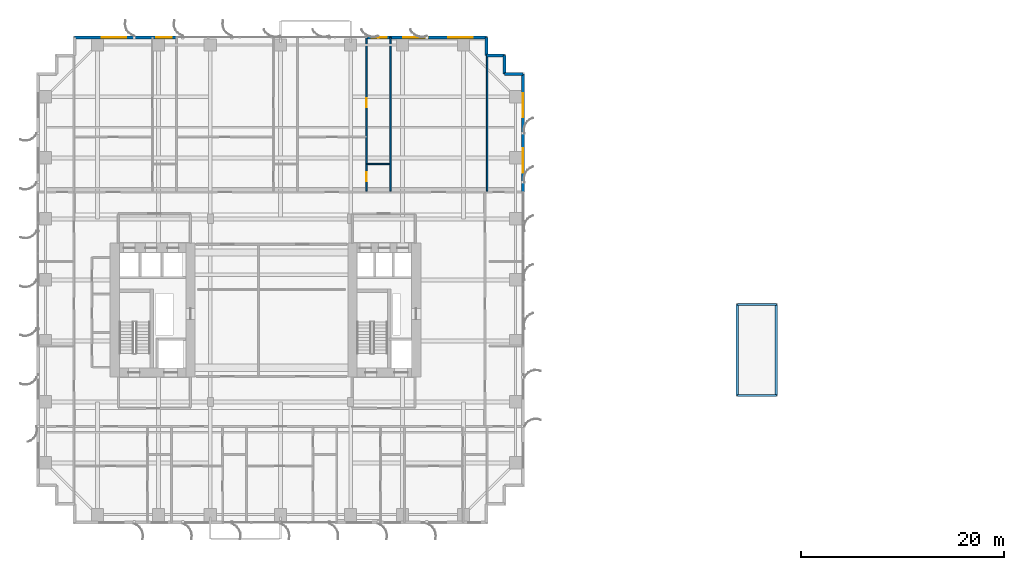
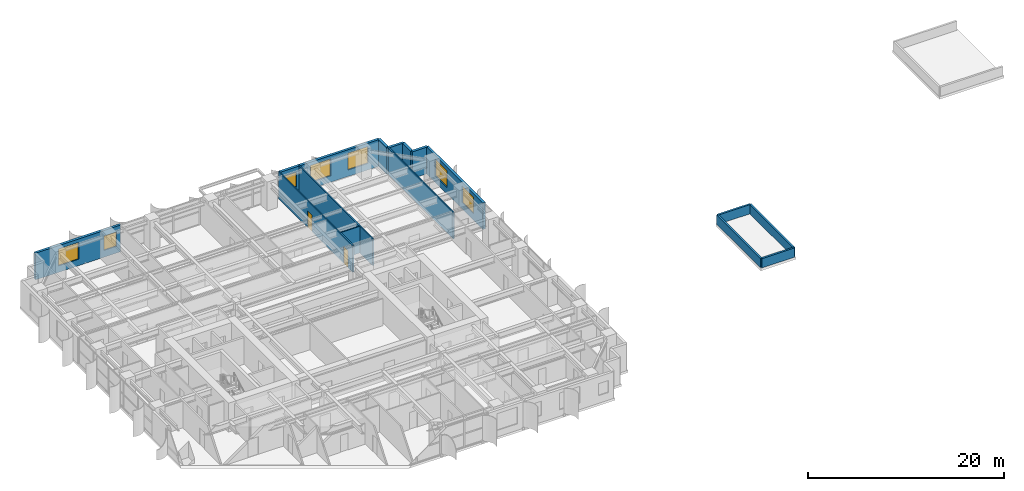
# One storey, part 20 of 26: 15 walls, 7 windows, 2 doors, 9 openings.
"""IFC4 building model written with IfcOpenShell, lengths in metres."""

from ifc_helpers import new_model, si_unit, direction, frame, frame_2d, origin, place, context, subcontext, project, spatial, rectangle, extrude, source, transform, mapped, material, layer, layer_set, type_object, element, fill, save


model = new_model("IFC4")

# Units and contexts
model_context = context("Model", 3, precision=1e-05, world=origin(), true_north=direction((0.0, 1.0)))
body_context = subcontext(model_context, "Body", "Model", "MODEL_VIEW")
ifc_project = project(units=[si_unit("LENGTHUNIT", "METRE"), si_unit("AREAUNIT", "SQUARE_METRE"), si_unit("VOLUMEUNIT", "CUBIC_METRE"), si_unit("PLANEANGLEUNIT", "RADIAN"), si_unit("MASSUNIT", "GRAM", prefix="KILO")], contexts=[model_context])

# Site, building, storey
site_placement = place(None, origin())
site = spatial("IfcSite", under=ifc_project, at=site_placement, CompositionType="ELEMENT")
building_placement = place(site_placement, origin())
building = spatial("IfcBuilding", under=site, at=building_placement, Name="Khoralis Quay Care Tower", CompositionType="ELEMENT")
storey_placement = place(building_placement, frame((0.0, 0.0, 26.10009765625)))
storey = spatial("IfcBuildingStorey", under=building, at=storey_placement, Name="L06", CompositionType="ELEMENT", Elevation=26.10009765625)

# Wall, openings, windows
ifc_material_1 = material(Name="Precast concrete C45/55", Category="concrete")
ifc_layer_1 = layer(ifc_material_1, 0.300048828125)
ifc_layer_set_1 = layer_set([ifc_layer_1], Name="Precast concrete C45/55")
wall_type_1 = type_object("IfcWallType", Name="WL-EXT-REF-300", PredefinedType="SOLIDWALL", material=ifc_layer_set_1)
wall_1_placement = place(storey_placement, frame((47.85009765625, 32.639892578125, 0.0), z_axis=(0.0, 0.0, 1.0), x_axis=(0.0, 1.0, 0.0)))
wall_1 = element("IfcWall", 1, at=wall_1_placement, inside=storey, type_object=wall_type_1, Name="L06 External Facade Wall WL-EXT-L06-P1-E5B", PredefinedType="SOLIDWALL", context=body_context, shape_type="SweptSolid", body=[
    extrude(rectangle(XDim=11.610107421875, YDim=0.300048828125, at=frame_2d((5.80517578125, 0.0))), origin(), (0.0, 0.0, 1.0), 3.31982421875),
])
opening_1_placement = place(wall_1_placement, frame((1.882568359375, 0.0, 0.800048828125)))
opening_1 = element("IfcOpeningElement", 2, at=opening_1_placement, cuts=wall_1, Name="Opening W1", PredefinedType="OPENING", context=body_context, shape_type="SweptSolid", body=[
    extrude(rectangle(XDim=2.39990234375, YDim=2.10009765625, at=frame_2d((1.199951171875, 1.050048828125))), frame((0.0, 0.16015625, 0.0), z_axis=(0.0, -1.0, 0.0), x_axis=(1.0, 0.0, 0.0)), (0.0, 0.0, 1.0), 0.320068359375),
])
opening_2_placement = place(wall_1_placement, frame((7.327392578125, 0.0, 0.800048828125)))
opening_2 = element("IfcOpeningElement", 3, at=opening_2_placement, cuts=wall_1, Name="Opening W1", PredefinedType="OPENING", context=body_context, shape_type="SweptSolid", body=[
    extrude(rectangle(XDim=2.39990234375, YDim=2.10009765625, at=frame_2d((1.199951171875, 1.050048828125))), frame((0.0, 0.16015625, 0.0), z_axis=(0.0, -1.0, 0.0), x_axis=(1.0, 0.0, 0.0)), (0.0, 0.0, 1.0), 0.320068359375),
])
ifc_material_2 = material(Name="Low-E solar-control double glazing", Category="glass")
window_type_1 = type_object("IfcWindowType", Name="WN-POD-2400X2100", PartitioningType="SINGLE_PANEL", PredefinedType="WINDOW", material=ifc_material_2)
shared_shape_1 = source(origin(), body_context, "Body", "SweptSolid", [
    extrude(rectangle(XDim=2.39990234375, YDim=2.10009765625, at=frame_2d((1.199951171875, 1.050048828125))), frame((0.0, 0.030029296875, 0.0), z_axis=(0.0, -1.0, 0.0), x_axis=(1.0, 0.0, 0.0)), (0.0, 0.0, 1.0), 0.06005859375),
])
window_1_placement = place(opening_1_placement, origin())
window_1 = element("IfcWindow", 4, at=window_1_placement, inside=storey, type_object=window_type_1, Name="WN-L06-P1-E5B Facade Window 01", OverallHeight=2.10009765625, OverallWidth=2.39990234375, PartitioningType="SINGLE_PANEL", PredefinedType="WINDOW", context=body_context, shape_type="MappedRepresentation", body=[
    mapped(shared_shape_1, transform((0.0, 0.0, 0.0), scale=1.0)),
])
fill(opening_1, window_1)
window_2_placement = place(opening_2_placement, origin())
window_2 = element("IfcWindow", 5, at=window_2_placement, inside=storey, type_object=window_type_1, Name="WN-L06-P1-E5B Facade Window 02", OverallHeight=2.10009765625, OverallWidth=2.39990234375, PartitioningType="SINGLE_PANEL", PredefinedType="WINDOW", context=body_context, shape_type="MappedRepresentation", body=[
    mapped(shared_shape_1, transform((0.0, 0.0, 0.0), scale=1.0)),
])
fill(opening_2, window_2)

# Walls
for number, where, z_axis, x_axis, name in (
    (6, (47.85009765625, 44.25, 0.0), (0.0, 0.0, 1.0), (-1.0, 0.0, 0.0), "L06 External Facade Wall WL-EXT-L06-P1-C6"),
    (7, (46.050048828125, 44.25, 0.0), (0.0, 0.0, 1.0), (0.0, 1.0, 0.0), "L06 External Facade Wall WL-EXT-L06-P1-C7"),
    (8, (46.050048828125, 46.050048828125, 0.0), (0.0, 0.0, 1.0), (-1.0, 0.0, 0.0), "L06 External Facade Wall WL-EXT-L06-P1-C8"),
    (9, (44.25, 46.050048828125, 0.0), (0.0, 0.0, 1.0), (0.0, 1.0, 0.0), "L06 External Facade Wall WL-EXT-L06-P1-C9"),
):
    element("IfcWall", number, at=place(storey_placement, frame(where, z_axis=z_axis, x_axis=x_axis)), inside=storey, type_object=wall_type_1, Name=name, PredefinedType="SOLIDWALL", context=body_context, shape_type="SweptSolid", body=[
        extrude(rectangle(XDim=1.800048828125, YDim=0.300048828125, at=frame_2d((0.89990234375, 0.0))), origin(), (0.0, 0.0, 1.0), 3.31982421875),
    ])

# Wall, openings, windows
wall_2_placement = place(storey_placement, frame((44.25, 47.85009765625, 0.0), z_axis=(0.0, 0.0, 1.0), x_axis=(-1.0, 0.0, 0.0)))
wall_2 = element("IfcWall", 10, at=wall_2_placement, inside=storey, type_object=wall_type_1, Name="L06 External Facade Wall WL-EXT-L06-P1-E10A", PredefinedType="SOLIDWALL", context=body_context, shape_type="SweptSolid", body=[
    extrude(rectangle(XDim=11.77001953125, YDim=0.300048828125, at=frame_2d((5.885009765625, 0.0))), origin(), (0.0, 0.0, 1.0), 3.31982421875),
])
opening_3_placement = place(wall_2_placement, frame((1.360107421875, 0.0, 0.800048828125)))
opening_3 = element("IfcOpeningElement", 11, at=opening_3_placement, cuts=wall_2, Name="Opening W1", PredefinedType="OPENING", context=body_context, shape_type="SweptSolid", body=[
    extrude(rectangle(XDim=2.39990234375, YDim=2.10009765625, at=frame_2d((1.199951171875, 1.050048828125))), frame((0.0, 0.16015625, 0.0), z_axis=(0.0, -1.0, 0.0), x_axis=(1.0, 0.0, 0.0)), (0.0, 0.0, 1.0), 0.320068359375),
])
opening_4_placement = place(wall_2_placement, frame((5.760009765625, 0.0, 0.800048828125)))
opening_4 = element("IfcOpeningElement", 12, at=opening_4_placement, cuts=wall_2, Name="Opening W1", PredefinedType="OPENING", context=body_context, shape_type="SweptSolid", body=[
    extrude(rectangle(XDim=2.39990234375, YDim=2.10009765625, at=frame_2d((1.199951171875, 1.050048828125))), frame((0.0, 0.16015625, 0.0), z_axis=(0.0, -1.0, 0.0), x_axis=(1.0, 0.0, 0.0)), (0.0, 0.0, 1.0), 0.320068359375),
])
opening_5_placement = place(wall_2_placement, frame((9.794921875, 0.0, 0.85009765625)))
opening_5 = element("IfcOpeningElement", 13, at=opening_5_placement, cuts=wall_2, Name="Opening W3", PredefinedType="OPENING", context=body_context, shape_type="SweptSolid", body=[
    extrude(rectangle(XDim=1.5, YDim=1.800048828125, at=frame_2d((0.75, 0.89990234375))), frame((0.0, 0.16015625, 0.0), z_axis=(0.0, -1.0, 0.0), x_axis=(1.0, 0.0, 0.0)), (0.0, 0.0, 1.0), 0.320068359375),
])
window_type_2 = type_object("IfcWindowType", Name="WN-CLIN-1500X1800", PartitioningType="SINGLE_PANEL", PredefinedType="WINDOW", material=ifc_material_2)
shared_shape_2 = source(origin(), body_context, "Body", "SweptSolid", [
    extrude(rectangle(XDim=1.5, YDim=1.800048828125, at=frame_2d((0.75, 0.89990234375))), frame((0.0, 0.030029296875, 0.0), z_axis=(0.0, -1.0, 0.0), x_axis=(1.0, 0.0, 0.0)), (0.0, 0.0, 1.0), 0.06005859375),
])
window_3_placement = place(opening_5_placement, origin())
window_3 = element("IfcWindow", 14, at=window_3_placement, inside=storey, type_object=window_type_2, Name="WN-L06-P1-E10A Facade Window 03", OverallHeight=1.800048828125, OverallWidth=1.5, PartitioningType="SINGLE_PANEL", PredefinedType="WINDOW", context=body_context, shape_type="MappedRepresentation", body=[
    mapped(shared_shape_2, transform((0.0, 0.0, 0.0), scale=1.0)),
])
fill(opening_5, window_3)
window_4_placement = place(opening_3_placement, origin())
window_4 = element("IfcWindow", 15, at=window_4_placement, inside=storey, type_object=window_type_1, Name="WN-L06-P1-E10A Facade Window 01", OverallHeight=2.10009765625, OverallWidth=2.39990234375, PartitioningType="SINGLE_PANEL", PredefinedType="WINDOW", context=body_context, shape_type="MappedRepresentation", body=[
    mapped(shared_shape_1, transform((0.0, 0.0, 0.0), scale=1.0)),
])
fill(opening_3, window_4)
window_5_placement = place(opening_4_placement, origin())
window_5 = element("IfcWindow", 16, at=window_5_placement, inside=storey, type_object=window_type_1, Name="WN-L06-P1-E10A Facade Window 02", OverallHeight=2.10009765625, OverallWidth=2.39990234375, PartitioningType="SINGLE_PANEL", PredefinedType="WINDOW", context=body_context, shape_type="MappedRepresentation", body=[
    mapped(shared_shape_1, transform((0.0, 0.0, 0.0), scale=1.0)),
])
fill(opening_4, window_5)

wall_3_placement = place(storey_placement, frame((13.760009765625, 47.85009765625, 0.0), z_axis=(0.0, 0.0, 1.0), x_axis=(-1.0, 0.0, 0.0)))
wall_3 = element("IfcWall", 17, at=wall_3_placement, inside=storey, type_object=wall_type_1, Name="L06 External Facade Wall WL-EXT-L06-P1-E10B", PredefinedType="SOLIDWALL", context=body_context, shape_type="SweptSolid", body=[
    extrude(rectangle(XDim=10.010009765625, YDim=0.300048828125, at=frame_2d((5.0048828125, 0.0))), origin(), (0.0, 0.0, 1.0), 3.31982421875),
])
opening_6_placement = place(wall_3_placement, frame((0.47509765625, 0.0, 0.85009765625)))
opening_6 = element("IfcOpeningElement", 18, at=opening_6_placement, cuts=wall_3, Name="Opening W3", PredefinedType="OPENING", context=body_context, shape_type="SweptSolid", body=[
    extrude(rectangle(XDim=1.5, YDim=1.800048828125, at=frame_2d((0.75, 0.89990234375))), frame((0.0, 0.16015625, 0.0), z_axis=(0.0, -1.0, 0.0), x_axis=(1.0, 0.0, 0.0)), (0.0, 0.0, 1.0), 0.320068359375),
])
opening_7_placement = place(wall_3_placement, frame((4.929931640625, 0.0, 0.800048828125)))
opening_7 = element("IfcOpeningElement", 19, at=opening_7_placement, cuts=wall_3, Name="Opening W1", PredefinedType="OPENING", context=body_context, shape_type="SweptSolid", body=[
    extrude(rectangle(XDim=2.39990234375, YDim=2.10009765625, at=frame_2d((1.199951171875, 1.050048828125))), frame((0.0, 0.16015625, 0.0), z_axis=(0.0, -1.0, 0.0), x_axis=(1.0, 0.0, 0.0)), (0.0, 0.0, 1.0), 0.320068359375),
])
window_6_placement = place(opening_6_placement, origin())
window_6 = element("IfcWindow", 20, at=window_6_placement, inside=storey, type_object=window_type_2, Name="WN-L06-P1-E10B Facade Window 01", OverallHeight=1.800048828125, OverallWidth=1.5, PartitioningType="SINGLE_PANEL", PredefinedType="WINDOW", context=body_context, shape_type="MappedRepresentation", body=[
    mapped(shared_shape_2, transform((0.0, 0.0, 0.0), scale=1.0)),
])
fill(opening_6, window_6)
window_7_placement = place(opening_7_placement, origin())
window_7 = element("IfcWindow", 21, at=window_7_placement, inside=storey, type_object=window_type_1, Name="WN-L06-P1-E10B Facade Window 02", OverallHeight=2.10009765625, OverallWidth=2.39990234375, PartitioningType="SINGLE_PANEL", PredefinedType="WINDOW", context=body_context, shape_type="MappedRepresentation", body=[
    mapped(shared_shape_1, transform((0.0, 0.0, 0.0), scale=1.0)),
])
fill(opening_7, window_7)

# Walls
ifc_material_3 = material(Name="Precast concrete C40/50", Category="concrete")
ifc_layer_2 = layer(ifc_material_3, 0.219970703125)
ifc_layer_set_2 = layer_set([ifc_layer_2], Name="Precast concrete C40/50")
wall_type_2 = type_object("IfcWallType", Name="WL-PARAPET-220", PredefinedType="PARAPET", material=ifc_layer_set_2)
wall_4_placement = place(storey_placement, frame((68.929931640625, 12.6298828125, 0.0), z_axis=(0.0, 0.0, 1.0), x_axis=(1.0, 0.0, 0.0)))
element("IfcWall", 22, at=wall_4_placement, inside=storey, type_object=wall_type_2, Name="School Stair Head-House 1 Roof Parapet 1", PredefinedType="PARAPET", context=body_context, shape_type="SweptSolid", body=[
    extrude(rectangle(XDim=3.840087890625, YDim=0.219970703125, at=frame_2d((1.919921875, 0.0))), origin(), (0.0, 0.0, 1.0), 1.14990234375),
])
wall_5_placement = place(storey_placement, frame((72.77001953125, 12.6298828125, 0.0), z_axis=(0.0, 0.0, 1.0), x_axis=(0.0, 1.0, 0.0)))
element("IfcWall", 23, at=wall_5_placement, inside=storey, type_object=wall_type_2, Name="School Stair Head-House 1 Roof Parapet 2", PredefinedType="PARAPET", context=body_context, shape_type="SweptSolid", body=[
    extrude(rectangle(XDim=8.940185546875, YDim=0.219970703125, at=frame_2d((4.47021484375, 0.0))), origin(), (0.0, 0.0, 1.0), 1.14990234375),
])
wall_6_placement = place(storey_placement, frame((72.77001953125, 21.570068359375, 0.0), z_axis=(0.0, 0.0, 1.0), x_axis=(-1.0, 0.0, 0.0)))
element("IfcWall", 24, at=wall_6_placement, inside=storey, type_object=wall_type_2, Name="School Stair Head-House 1 Roof Parapet 3", PredefinedType="PARAPET", context=body_context, shape_type="SweptSolid", body=[
    extrude(rectangle(XDim=3.840087890625, YDim=0.219970703125, at=frame_2d((1.919921875, 0.0))), origin(), (0.0, 0.0, 1.0), 1.14990234375),
])
wall_7_placement = place(storey_placement, frame((68.929931640625, 21.570068359375, 0.0), z_axis=(0.0, 0.0, 1.0), x_axis=(0.0, -1.0, 0.0)))
element("IfcWall", 25, at=wall_7_placement, inside=storey, type_object=wall_type_2, Name="School Stair Head-House 1 Roof Parapet 4", PredefinedType="PARAPET", context=body_context, shape_type="SweptSolid", body=[
    extrude(rectangle(XDim=8.940185546875, YDim=0.219970703125, at=frame_2d((4.47021484375, 0.0))), origin(), (0.0, 0.0, 1.0), 1.14990234375),
])

# Wall, openings, doors
ifc_material_4 = material(Name="Moisture-resistant gypsum and ceramic tile")
ifc_layer_3 = layer(ifc_material_4, 0.280029296875)
ifc_layer_set_3 = layer_set([ifc_layer_3], Name="Moisture-resistant gypsum and ceramic tile")
wall_type_3 = type_object("IfcWallType", Name="WL-PLUMB-280", PredefinedType="PLUMBINGWALL", material=ifc_layer_set_3)
wall_8_placement = place(storey_placement, frame((32.47998046875, 32.717529296875, 0.0), z_axis=(0.0, 0.0, 1.0), x_axis=(0.0, 1.0, 0.0)))
wall_8 = element("IfcWall", 26, at=wall_8_placement, inside=storey, type_object=wall_type_3, Name="L06 Care Suite 2 En-Suite Wall V", PredefinedType="PLUMBINGWALL", context=body_context, shape_type="SweptSolid", body=[
    extrude(rectangle(XDim=15.137451171875, YDim=0.139892578125, at=frame_2d((7.56884765625, 0.0))), origin(), (0.0, 0.0, 1.0), 3.31982421875),
])
opening_8_placement = place(wall_8_placement, frame((0.96240234375, 0.0, 0.0)))
opening_8 = element("IfcOpeningElement", 27, at=opening_8_placement, cuts=wall_8, Name="Opening WD1", PredefinedType="OPENING", context=body_context, shape_type="SweptSolid", body=[
    extrude(rectangle(XDim=0.89990234375, YDim=2.10009765625, at=frame_2d((0.449951171875, 1.050048828125))), frame((0.0, 0.080078125, 0.0), z_axis=(0.0, -1.0, 0.0), x_axis=(1.0, 0.0, 0.0)), (0.0, 0.0, 1.0), 0.159912109375),
])
opening_9_placement = place(wall_8_placement, frame((8.25244140625, 0.0, 0.0)))
opening_9 = element("IfcOpeningElement", 28, at=opening_9_placement, cuts=wall_8, Name="Opening WD1", PredefinedType="OPENING", context=body_context, shape_type="SweptSolid", body=[
    extrude(rectangle(XDim=0.89990234375, YDim=2.10009765625, at=frame_2d((0.449951171875, 1.050048828125))), frame((0.0, 0.080078125, 0.0), z_axis=(0.0, -1.0, 0.0), x_axis=(1.0, 0.0, 0.0)), (0.0, 0.0, 1.0), 0.159912109375),
])
ifc_material_5 = material(Name="Acoustic hardwood timber", Category="wood")
door_type = type_object("IfcDoorType", Name="DR-BATH-900X2100", OperationType="NOTDEFINED", PredefinedType="DOOR", material=ifc_material_5)
shared_shape_3 = source(origin(), body_context, "Body", "SweptSolid", [
    extrude(rectangle(XDim=0.89990234375, YDim=2.10009765625, at=frame_2d((0.449951171875, 1.050048828125))), frame((0.0, 0.02490234375, 0.0), z_axis=(0.0, -1.0, 0.0), x_axis=(1.0, 0.0, 0.0)), (0.0, 0.0, 1.0), 0.050048828125),
])
door_1_placement = place(opening_8_placement, frame((0.89990234375, 0.0, 0.0), z_axis=(0.0, 0.0, 1.0), x_axis=(-1.0, 0.0, 0.0)))
door_1 = element("IfcDoor", 29, at=door_1_placement, inside=storey, type_object=door_type, Name="L06 Care CENS Door", OperationType="SINGLE_SWING_LEFT", OverallHeight=2.10009765625, OverallWidth=0.89990234375, PredefinedType="DOOR", context=body_context, shape_type="MappedRepresentation", body=[
    mapped(shared_shape_3, transform((0.0, 0.0, 0.0), scale=1.0)),
])
fill(opening_8, door_1)
door_2_placement = place(opening_9_placement, frame((0.89990234375, 0.0, 0.0), z_axis=(0.0, 0.0, 1.0), x_axis=(-1.0, 0.0, 0.0)))
door_2 = element("IfcDoor", 30, at=door_2_placement, inside=storey, type_object=door_type, Name="L06 Care CSIT Door", OperationType="SINGLE_SWING_RIGHT", OverallHeight=2.10009765625, OverallWidth=0.89990234375, PredefinedType="DOOR", context=body_context, shape_type="MappedRepresentation", body=[
    mapped(shared_shape_3, transform((0.0, 0.0, 0.0), scale=1.0)),
])
fill(opening_9, door_2)

# Walls
wall_9_placement = place(storey_placement, frame((32.544921875, 35.389892578125, 0.0), z_axis=(0.0, 0.0, 1.0), x_axis=(1.0, 0.0, 0.0)))
element("IfcWall", 31, at=wall_9_placement, inside=storey, type_object=wall_type_3, Name="L06 Care Suite 2 En-Suite Wall H", PredefinedType="PLUMBINGWALL", context=body_context, shape_type="SweptSolid", body=[
    extrude(rectangle(XDim=2.219970703125, YDim=0.139892578125, at=frame_2d((1.10986328125, 0.0))), origin(), (0.0, 0.0, 1.0), 3.31982421875),
])
ifc_material_6 = material(Name="Gypsum plasterboard on acoustic metal stud")
ifc_layer_4 = layer(ifc_material_6, 0.139892578125)
ifc_layer_set_4 = layer_set([ifc_layer_4], Name="Gypsum plasterboard on acoustic metal stud")
wall_type_4 = type_object("IfcWallType", Name="WL-UNIT-140", PredefinedType="PARTITIONING", material=ifc_layer_set_4)
wall_10_placement = place(storey_placement, frame((34.830078125, 32.717529296875, 0.0), z_axis=(0.0, 0.0, 1.0), x_axis=(0.0, 1.0, 0.0)))
element("IfcWall", 32, at=wall_10_placement, inside=storey, type_object=wall_type_4, Name="L06 NB Demising Wall 3", PredefinedType="PARTITIONING", context=body_context, shape_type="SweptSolid", body=[
    extrude(rectangle(XDim=15.137451171875, YDim=0.139892578125, at=frame_2d((7.56884765625, 0.0))), origin(), (0.0, 0.0, 1.0), 3.31982421875),
])
wall_11_placement = place(storey_placement, frame((44.320068359375, 32.717529296875, 0.0), z_axis=(0.0, 0.0, 1.0), x_axis=(0.0, 1.0, 0.0)))
element("IfcWall", 33, at=wall_11_placement, inside=storey, type_object=wall_type_4, Name="L06 NB Demising Wall 4", PredefinedType="PARTITIONING", context=body_context, shape_type="SweptSolid", body=[
    extrude(rectangle(XDim=13.33740234375, YDim=0.139892578125, at=frame_2d((6.668701171875, 0.0))), origin(), (0.0, 0.0, 1.0), 3.31982421875),
])

save(model, "model.ifc")
